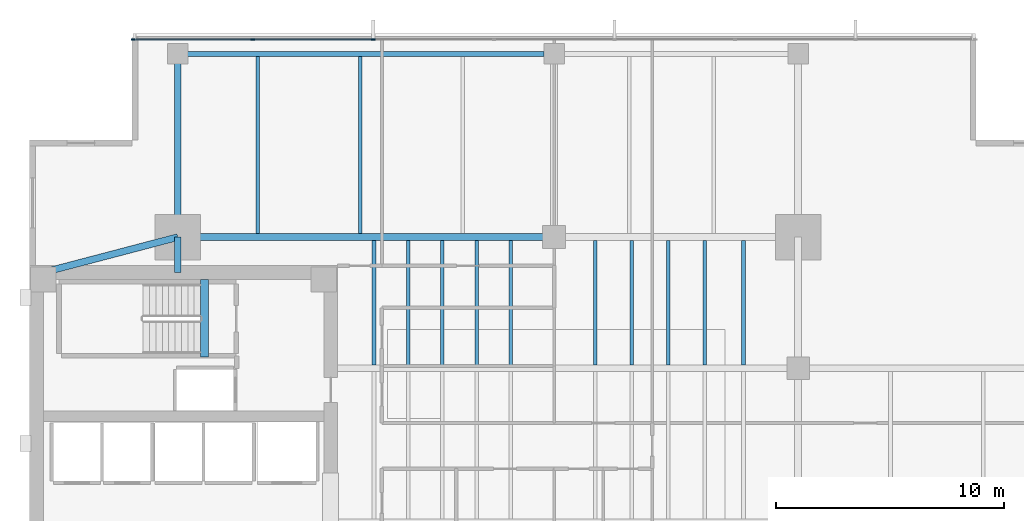
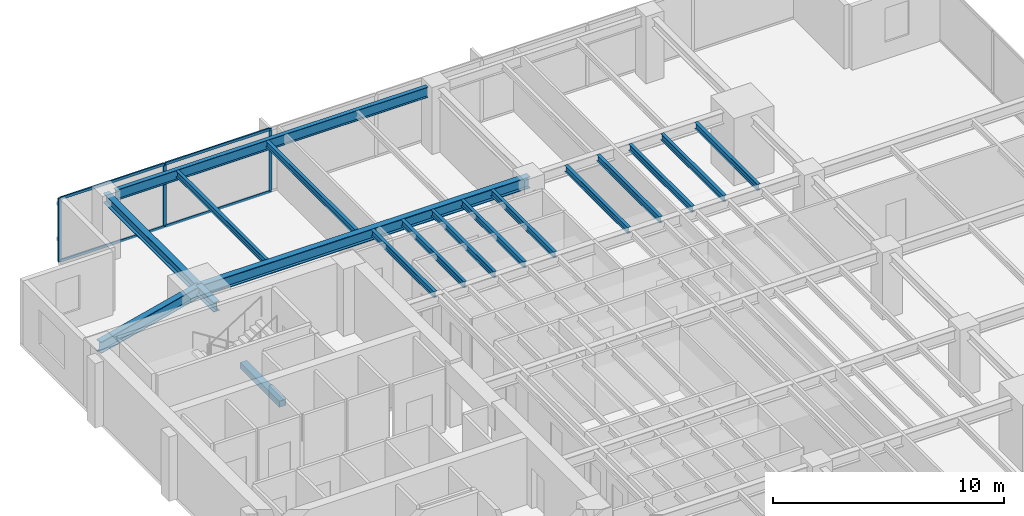
# One storey, part 5 of 14: 18 beams, 7 members, 1 element without a shape of its own.
"""IFC4 building model written with IfcOpenShell, lengths in metres."""

from ifc_helpers import new_model, si_unit, direction, frame, origin, origin_2d, place, context, subcontext, project, spatial, rectangle, i_section, extrude, material, layer, layer_set, material_profile, profile_set, type_object, element, aggregate, save


model = new_model("IFC4")

# Units and contexts
model_context = context("Model", 3, precision=1e-05, world=origin(), true_north=direction((0.0, 1.0)))
body_context = subcontext(model_context, "Body", "Model", "MODEL_VIEW")
ifc_project = project(units=[si_unit("LENGTHUNIT", "METRE"), si_unit("AREAUNIT", "SQUARE_METRE"), si_unit("VOLUMEUNIT", "CUBIC_METRE"), si_unit("PLANEANGLEUNIT", "RADIAN"), si_unit("MASSUNIT", "GRAM", prefix="KILO")], contexts=[model_context])

# Site, building, storey
site_placement = place(None, origin())
site = spatial("IfcSite", under=ifc_project, at=site_placement, CompositionType="ELEMENT")
building_placement = place(site_placement, origin())
building = spatial("IfcBuilding", under=site, at=building_placement, Name="Kinhvarn Gate Tower", CompositionType="ELEMENT")
storey_placement = place(building_placement, frame((0.0, 0.0, 162.60009765625)))
storey = spatial("IfcBuildingStorey", under=building, at=storey_placement, Name="L43", CompositionType="ELEMENT", Elevation=162.60009765625)

# Beam
ifc_material_1 = material(Name="Concrete C50/60", Category="concrete")
ifc_material_profile_1 = material_profile(ifc_material_1, rectangle(XDim=0.340087890625, YDim=0.320068359375, at=origin_2d()), Name="RC 340x320")
ifc_profile_set_1 = profile_set([ifc_material_profile_1], Name="Concrete C50/60")
beam_type_1 = type_object("IfcBeamType", Name="BM-LND-500", PredefinedType="BEAM", material=ifc_profile_set_1)
beam_1_placement = place(storey_placement, frame((12.1650390625, 32.5, -0.16015625), z_axis=(0.0, 1.0, 0.0), x_axis=(-1.0, 0.0, 0.0)))
element("IfcBeam", 1, at=beam_1_placement, inside=storey, type_object=beam_type_1, Name="Stair ST2 Landing Nosing Beam (L43)", PredefinedType="BEAM", context=body_context, shape_type="SweptSolid", body=[
    extrude(rectangle(XDim=0.340087890625, YDim=0.320068359375, at=origin_2d()), origin(), (0.0, 0.0, 1.0), 3.39990234375),
])

# Curtain wall, members
ifc_material_2 = material(Name="Anodised aluminium AW-6063", Category="aluminium")
ifc_layer = layer(ifc_material_2, 0.179931640625)
ifc_layer_set = layer_set([ifc_layer], Name="Anodised aluminium AW-6063")
curtain_wall_type = type_object("IfcCurtainWallType", Name="CW-SYS-3", PredefinedType="NOTDEFINED", material=ifc_layer_set)
curtain_wall_placement = place(storey_placement, origin())
curtain_wall = element("IfcCurtainWall", 2, at=curtain_wall_placement, inside=storey, type_object=curtain_wall_type, Name="Curtain Wall CW3 (L43)", PredefinedType="NOTDEFINED")
ifc_material_profile_2 = material_profile(ifc_material_2, rectangle(XDim=0.06494140625, YDim=0.159912109375, at=origin_2d()), Name="ALU 65x160")
ifc_profile_set_2 = profile_set([ifc_material_profile_2], Name="Anodised aluminium AW-6063")
member_type_1 = type_object("IfcMemberType", Name="CW-MUL-160", PredefinedType="MULLION", material=ifc_profile_set_2)
member_1_placement = place(storey_placement, frame((19.571533203125, 46.409912109375, 0.0), z_axis=(0.0, 0.0, 1.0), x_axis=(0.0, -1.0, 0.0)))
member_1 = element("IfcMember", 3, at=member_1_placement, type_object=member_type_1, Name="CW3 mullion 6", PredefinedType="MULLION", context=body_context, shape_type="SweptSolid", body=[
    extrude(rectangle(XDim=0.06494140625, YDim=0.159912109375, at=origin_2d()), origin(), (0.0, 0.0, 1.0), 3.369873046875),
])
member_2_placement = place(storey_placement, frame((14.28564453125, 46.409912109375, 0.0), z_axis=(0.0, 0.0, 1.0), x_axis=(0.0, -1.0, 0.0)))
member_2 = element("IfcMember", 4, at=member_2_placement, type_object=member_type_1, Name="CW3 mullion 7", PredefinedType="MULLION", context=body_context, shape_type="SweptSolid", body=[
    extrude(rectangle(XDim=0.06494140625, YDim=0.159912109375, at=origin_2d()), origin(), (0.0, 0.0, 1.0), 3.369873046875),
])
member_3_placement = place(storey_placement, frame((9.032470703125, 46.409912109375, 0.0), z_axis=(0.0, 0.0, 1.0), x_axis=(0.0, -1.0, 0.0)))
member_3 = element("IfcMember", 5, at=member_3_placement, type_object=member_type_1, Name="CW3 mullion 8", PredefinedType="MULLION", context=body_context, shape_type="SweptSolid", body=[
    extrude(rectangle(XDim=0.06494140625, YDim=0.159912109375, at=origin_2d()), origin(), (0.0, 0.0, 1.0), 3.369873046875),
])
ifc_material_profile_3 = material_profile(ifc_material_2, rectangle(XDim=0.070068359375, YDim=0.139892578125, at=origin_2d()), Name="ALU 70x140")
ifc_profile_set_3 = profile_set([ifc_material_profile_3], Name="Anodised aluminium AW-6063")
member_type_2 = type_object("IfcMemberType", Name="CW-TRN-140", PredefinedType="USERDEFINED", material=ifc_profile_set_3)
member_4_placement = place(storey_placement, frame((19.538818359375, 46.409912109375, 0.034912109375), z_axis=(-1.0, 0.0, 0.0), x_axis=(0.0, -1.0, 0.0)))
member_4 = element("IfcMember", 6, at=member_4_placement, type_object=member_type_2, Name="CW3 transom 6.1", ObjectType="TRANSOM", PredefinedType="USERDEFINED", context=body_context, shape_type="SweptSolid", body=[
    extrude(rectangle(XDim=0.070068359375, YDim=0.139892578125, at=origin_2d()), origin(), (0.0, 0.0, 1.0), 5.220703125),
])
member_5_placement = place(storey_placement, frame((19.538818359375, 46.409912109375, 3.3349609375), z_axis=(-1.0, 0.0, 0.0), x_axis=(0.0, -1.0, 0.0)))
member_5 = element("IfcMember", 7, at=member_5_placement, type_object=member_type_2, Name="CW3 transom 6.2", ObjectType="TRANSOM", PredefinedType="USERDEFINED", context=body_context, shape_type="SweptSolid", body=[
    extrude(rectangle(XDim=0.070068359375, YDim=0.139892578125, at=origin_2d()), origin(), (0.0, 0.0, 1.0), 5.220703125),
])
member_6_placement = place(storey_placement, frame((14.253173828125, 46.409912109375, 0.034912109375), z_axis=(-1.0, 0.0, 0.0), x_axis=(0.0, -1.0, 0.0)))
member_6 = element("IfcMember", 8, at=member_6_placement, type_object=member_type_2, Name="CW3 transom 7.1", ObjectType="TRANSOM", PredefinedType="USERDEFINED", context=body_context, shape_type="SweptSolid", body=[
    extrude(rectangle(XDim=0.070068359375, YDim=0.139892578125, at=origin_2d()), origin(), (0.0, 0.0, 1.0), 5.188232421875),
])
member_7_placement = place(storey_placement, frame((14.253173828125, 46.409912109375, 3.3349609375), z_axis=(-1.0, 0.0, 0.0), x_axis=(0.0, -1.0, 0.0)))
member_7 = element("IfcMember", 9, at=member_7_placement, type_object=member_type_2, Name="CW3 transom 7.2", ObjectType="TRANSOM", PredefinedType="USERDEFINED", context=body_context, shape_type="SweptSolid", body=[
    extrude(rectangle(XDim=0.070068359375, YDim=0.139892578125, at=origin_2d()), origin(), (0.0, 0.0, 1.0), 5.188232421875),
])
aggregate(curtain_wall, [member_1, member_2, member_3, member_4, member_5, member_6, member_7])

# Beams
ifc_material_3 = material(Name="Steel S355", Category="steel")
ifc_material_profile_4 = material_profile(ifc_material_3, i_section(OverallWidth=0.300048828125, OverallDepth=0.5, WebThickness=0.014404296875, FlangeThickness=0.028076171875, at=origin_2d()), Name="HEB 500")
ifc_profile_set_4 = profile_set([ifc_material_profile_4], Name="Steel S355")
beam_type_2 = type_object("IfcBeamType", Name="STL-HEB500", PredefinedType="BEAM", material=ifc_profile_set_4)
beam_2_placement = place(storey_placement, frame((11.0, 36.199951171875, 3.119873046875), z_axis=(0.0, 1.0, 0.0), x_axis=(-1.0, 0.0, 0.0)))
element("IfcBeam", 10, at=beam_2_placement, inside=storey, type_object=beam_type_2, Name="Floor Beam PG-14 (L43 MCW-CN)", PredefinedType="BEAM", context=body_context, shape_type="SweptSolid", body=[
    extrude(i_section(OverallWidth=0.300048828125, OverallDepth=0.5, WebThickness=0.014404296875, FlangeThickness=0.028076171875, at=origin_2d()), origin(), (0.0, 0.0, 1.0), 1.550048828125),
])
beam_3_placement = place(storey_placement, frame((11.0, 37.75, 3.119873046875), z_axis=(0.0, 1.0, 0.0), x_axis=(-1.0, 0.0, 0.0)))
element("IfcBeam", 11, at=beam_3_placement, inside=storey, type_object=beam_type_2, Name="Floor Beam PG-14 (L43 MCW-N)", PredefinedType="BEAM", context=body_context, shape_type="SweptSolid", body=[
    extrude(i_section(OverallWidth=0.300048828125, OverallDepth=0.5, WebThickness=0.014404296875, FlangeThickness=0.028076171875, at=origin_2d()), origin(), (0.0, 0.0, 1.0), 8.030029296875),
])
ifc_material_profile_5 = material_profile(ifc_material_3, i_section(OverallWidth=0.300048828125, OverallDepth=0.60009765625, WebThickness=0.015380859375, FlangeThickness=0.030029296875, at=origin_2d()), Name="HEB 600")
ifc_profile_set_5 = profile_set([ifc_material_profile_5], Name="Steel S355")
beam_type_3 = type_object("IfcBeamType", Name="STL-HEB600", PredefinedType="BEAM", material=ifc_profile_set_5)
beam_4_placement = place(storey_placement, frame((11.0, 37.75, 3.06982421875), z_axis=(1.0, 0.0, 0.0), x_axis=(0.0, 1.0, 0.0)))
element("IfcBeam", 12, at=beam_4_placement, inside=storey, type_object=beam_type_3, Name="Floor Beam PG-16 (L43 MG-N1)", PredefinedType="BEAM", context=body_context, shape_type="SweptSolid", body=[
    extrude(i_section(OverallWidth=0.300048828125, OverallDepth=0.60009765625, WebThickness=0.015380859375, FlangeThickness=0.030029296875, at=origin_2d()), origin(), (0.0, 0.0, 1.0), 16.5),
])
beam_5_placement = place(storey_placement, frame((5.10009765625, 36.199951171875, 3.06982421875), z_axis=(0.967177623957, 0.254101246979, 0.0), x_axis=(-0.254101246979, 0.967177623957, 0.0)))
element("IfcBeam", 13, at=beam_5_placement, inside=storey, type_object=beam_type_3, Name="Floor Beam PG-16 (L43 MG-NW-DIAG)", PredefinedType="BEAM", context=body_context, shape_type="SweptSolid", body=[
    extrude(i_section(OverallWidth=0.300048828125, OverallDepth=0.60009765625, WebThickness=0.015380859375, FlangeThickness=0.030029296875, at=origin_2d()), origin(), (0.0, 0.0, 1.0), 6.10009765625),
])
ifc_material_profile_6 = material_profile(ifc_material_3, i_section(OverallWidth=0.159912109375, OverallDepth=0.330078125, WebThickness=0.007568359375, FlangeThickness=0.011474609375, at=origin_2d()), Name="IPE 330")
ifc_profile_set_6 = profile_set([ifc_material_profile_6], Name="Steel S355")
beam_type_4 = type_object("IfcBeamType", Name="STL-IPE330", PredefinedType="JOIST", material=ifc_profile_set_6)
for number, where, z_axis, x_axis, name in (
    (14, (19.60009765625, 32.14990234375, 3.204833984375), (0.0, 1.0, 0.0), (-1.0, 0.0, 0.0), "Floor Joist SB-03 (L43 JC-X196-3)"),
    (15, (21.10009765625, 32.14990234375, 3.204833984375), (0.0, 1.0, 0.0), (-1.0, 0.0, 0.0), "Floor Joist SB-03 (L43 JC-X211-3)"),
    (16, (22.60009765625, 32.14990234375, 3.204833984375), (0.0, 1.0, 0.0), (-1.0, 0.0, 0.0), "Floor Joist SB-03 (L43 JC-X226-3)"),
    (17, (24.10009765625, 32.14990234375, 3.204833984375), (0.0, 1.0, 0.0), (-1.0, 0.0, 0.0), "Floor Joist SB-03 (L43 JC-X241-3)"),
    (18, (25.60009765625, 32.14990234375, 3.204833984375), (0.0, 1.0, 0.0), (-1.0, 0.0, 0.0), "Floor Joist SB-03 (L43 JC-X256-3)"),
    (19, (29.300048828125, 32.14990234375, 3.204833984375), (0.0, 1.0, 0.0), (-1.0, 0.0, 0.0), "Floor Joist SB-03 (L43 JC-X293-3)"),
    (20, (30.89990234375, 32.14990234375, 3.204833984375), (0.0, 1.0, 0.0), (-1.0, 0.0, 0.0), "Floor Joist SB-03 (L43 JC-X309-3)"),
    (21, (32.5, 32.14990234375, 3.204833984375), (0.0, 1.0, 0.0), (-1.0, 0.0, 0.0), "Floor Joist SB-03 (L43 JC-X325-3)"),
    (22, (34.10009765625, 32.14990234375, 3.204833984375), (0.0, 1.0, 0.0), (-1.0, 0.0, 0.0), "Floor Joist SB-03 (L43 JC-X341-3)"),
    (23, (35.800048828125, 32.14990234375, 3.204833984375), (0.0, 1.0, 0.0), (-1.0, 0.0, 0.0), "Floor Joist SB-03 (L43 JC-X358-3)"),
):
    element("IfcBeam", number, at=place(storey_placement, frame(where, z_axis=z_axis, x_axis=x_axis)), inside=storey, type_object=beam_type_4, Name=name, PredefinedType="JOIST", context=body_context, shape_type="SweptSolid", body=[
        extrude(i_section(OverallWidth=0.159912109375, OverallDepth=0.330078125, WebThickness=0.007568359375, FlangeThickness=0.011474609375, at=origin_2d()), origin(), (0.0, 0.0, 1.0), 5.4501953125),
    ])
for number, where, z_axis, x_axis, name in (
    (24, (14.5, 37.89990234375, 3.204833984375), (0.0, 1.0, 0.0), (-1.0, 0.0, 0.0), "Floor Joist SB-03 (L43 JN-X145)"),
    (25, (19.0, 37.89990234375, 3.204833984375), (0.0, 1.0, 0.0), (-1.0, 0.0, 0.0), "Floor Joist SB-03 (L43 JN-X190)"),
):
    element("IfcBeam", number, at=place(storey_placement, frame(where, z_axis=z_axis, x_axis=x_axis)), inside=storey, type_object=beam_type_4, Name=name, PredefinedType="JOIST", context=body_context, shape_type="SweptSolid", body=[
        extrude(i_section(OverallWidth=0.159912109375, OverallDepth=0.330078125, WebThickness=0.007568359375, FlangeThickness=0.011474609375, at=origin_2d()), origin(), (0.0, 0.0, 1.0), 7.775146484375),
    ])
ifc_material_profile_7 = material_profile(ifc_material_3, i_section(OverallWidth=0.2099609375, OverallDepth=0.550048828125, WebThickness=0.010986328125, FlangeThickness=0.01708984375, at=origin_2d()), Name="IPE 550")
ifc_profile_set_7 = profile_set([ifc_material_profile_7], Name="Steel S355")
beam_type_5 = type_object("IfcBeamType", Name="STL-IPE550", PredefinedType="SPANDREL", material=ifc_profile_set_7)
beam_6_placement = place(storey_placement, frame((11.43505859375, 45.780029296875, 3.094970703125), z_axis=(1.0, 0.0, 0.0), x_axis=(0.0, 1.0, 0.0)))
element("IfcBeam", 26, at=beam_6_placement, inside=storey, type_object=beam_type_5, Name="Floor Spandrel SB-08 (L43 SP-N1)", PredefinedType="SPANDREL", context=body_context, shape_type="SweptSolid", body=[
    extrude(i_section(OverallWidth=0.2099609375, OverallDepth=0.550048828125, WebThickness=0.010986328125, FlangeThickness=0.01708984375, at=origin_2d()), origin(), (0.0, 0.0, 1.0), 15.6298828125),
])

save(model, "model.ifc")
